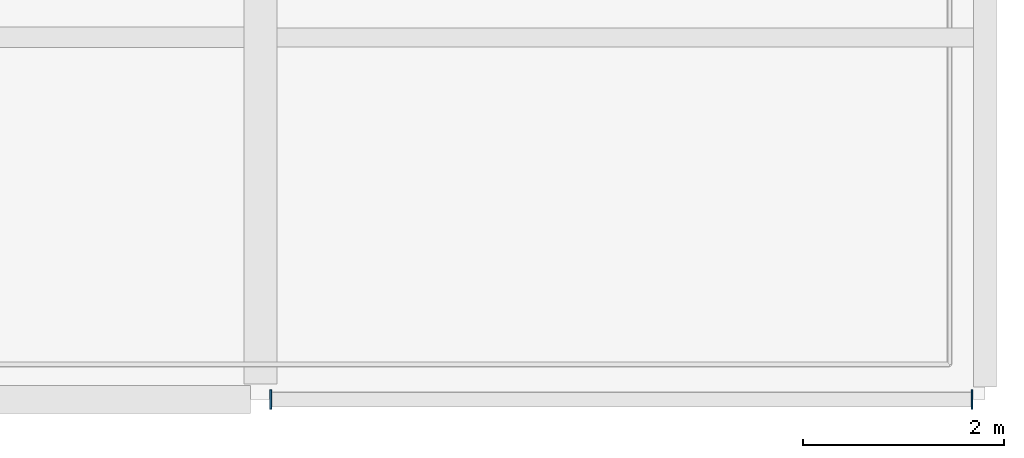
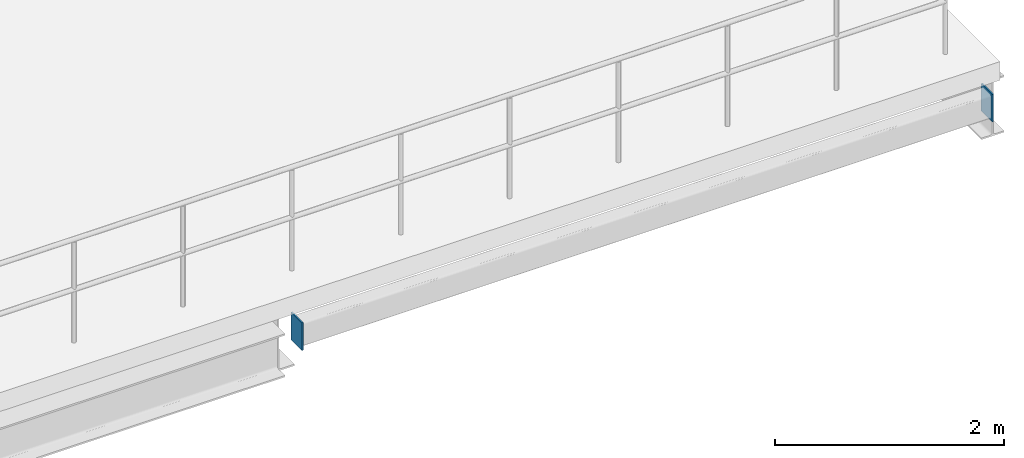
# One storey, part 28 of 45: 2 plates.
"""IFC4 building model written with IfcOpenShell, lengths in metres."""

import ifcopenshell
import ifcopenshell.guid

model = None  # the IFC model being written
_history = None  # IfcOwnerHistory: only IFC2X3 demands one
_inside = {}  # id of a spatial element -> (the spatial element, [elements in it])
_under = {}  # id of a project, library or spatial element -> (it, [spatial elements below it])
_declared = {}  # id of a project -> (the project, [libraries it declares])
_typed = {}  # id of a type object -> (the type object, [elements of that type])
_made_of = {}  # id of a material, layer set ... -> (it, [elements and type objects made of it])


def new_model(schema):
    """Start an empty IFC model of exactly this schema.

    Asked for "IFC4X3", IfcOpenShell would pick the latest addendum, in which some entities
    have other attributes; the version numbers below select the first issue.
    IFC2X3 requires an IfcOwnerHistory on every rooted entity: one is made here for all.
    """
    global model, _history
    if schema == "IFC4X3":
        model = ifcopenshell.file(schema_version=(4, 3, 0, 0))
    else:
        model = ifcopenshell.file(schema=schema)
    _inside.clear()
    _under.clear()
    _declared.clear()
    _typed.clear()
    _made_of.clear()
    _history = None
    if model.schema == "IFC2X3":
        org = make("IfcOrganization", Name="unknown")
        user = make(
            "IfcPersonAndOrganization",
            ThePerson=make("IfcPerson", FamilyName="unknown"),
            TheOrganization=org,
        )
        app = make(
            "IfcApplication",
            ApplicationDeveloper=org,
            Version="unknown",
            ApplicationFullName="unknown",
            ApplicationIdentifier="unknown",
        )
        _history = make(
            "IfcOwnerHistory",
            OwningUser=user,
            OwningApplication=app,
            ChangeAction="ADDED",
            CreationDate=0,
        )
    return model


def make(cls, **values):
    """One entity of the class cls with the attributes given. An attribute that is None is left unset."""
    return model.create_entity(
        cls, **{name: value for name, value in values.items() if value is not None}
    )


def rooted(cls, **values):
    """An entity with a GlobalId (a new one), such as an element, a storey or a relation."""
    return make(cls, GlobalId=ifcopenshell.guid.new(), OwnerHistory=_history, **values)


def si_unit(unit_type, name, prefix=None):
    """IfcSIUnit, for example si_unit("LENGTHUNIT", "METRE", prefix="MILLI")."""
    return make("IfcSIUnit", UnitType=unit_type, Prefix=prefix, Name=name)


def assignment(units):
    """IfcUnitAssignment: the units of a project."""
    return None if units is None else make("IfcUnitAssignment", Units=units)


def point(xyz):
    """IfcCartesianPoint."""
    return None if xyz is None else make("IfcCartesianPoint", Coordinates=xyz)


def direction(xyz):
    """IfcDirection."""
    return None if xyz is None else make("IfcDirection", DirectionRatios=xyz)


def frame(location, z_axis=None, x_axis=None):
    """IfcAxis2Placement3D, a coordinate frame: its origin and axes. An axis left out is left unset."""
    return make(
        "IfcAxis2Placement3D",
        Location=point(location),
        Axis=direction(z_axis),
        RefDirection=direction(x_axis),
    )


def frame_2d(location, x_axis=None):
    """IfcAxis2Placement2D, a coordinate frame in the plane: its origin and x axis."""
    return make(
        "IfcAxis2Placement2D", Location=point(location), RefDirection=direction(x_axis)
    )


def origin():
    """The frame at (0, 0, 0) with its axes left unset."""
    return frame((0.0, 0.0, 0.0))


def origin_2d():
    """The frame at (0, 0) in the plane with its x axis left unset."""
    return frame_2d((0.0, 0.0))


def place(relative_to, where):
    """IfcLocalPlacement: puts the frame where relative to a parent placement (None: the world)."""
    return make(
        "IfcLocalPlacement", PlacementRelTo=relative_to, RelativePlacement=where
    )


def context(
    kind, dimensions, precision=None, world=None, true_north=None, identifier=None
):
    """IfcGeometricRepresentationContext, for example the 3D "Model" context."""
    return make(
        "IfcGeometricRepresentationContext",
        ContextIdentifier=identifier,
        ContextType=kind,
        CoordinateSpaceDimension=dimensions,
        Precision=precision,
        WorldCoordinateSystem=world,
        TrueNorth=true_north,
    )


def subcontext(parent, identifier, kind, view, scale=None):
    """IfcGeometricRepresentationSubContext, for example "Body" below "Model"."""
    return make(
        "IfcGeometricRepresentationSubContext",
        ContextIdentifier=identifier,
        ContextType=kind,
        ParentContext=parent,
        TargetScale=scale,
        TargetView=view,
    )


def project(units=None, contexts=None):
    """IfcProject with its units and contexts."""
    return rooted(
        "IfcProject",
        Name="project",
        RepresentationContexts=contexts,
        UnitsInContext=assignment(units),
    )


def spatial(cls, under=None, at=None, **own):
    """A site, building, storey or space (cls), placed at a placement, below another one or the project."""
    s = rooted(cls, ObjectPlacement=at, **own)
    if under is not None:
        _under.setdefault(under.id(), (under, []))[1].append(s)
    return s


def profile(cls, at=None, kind="AREA", **sizes):
    """A parametric profile (cls). Its sizes go by their IFC names, for example OverallWidth=200.0."""
    return make(cls, ProfileType=kind, Position=at, **sizes)


def rectangle(**sizes):
    """IfcRectangleProfileDef."""
    return profile("IfcRectangleProfileDef", **sizes)


def extrude(swept, where, along, depth):
    """IfcExtrudedAreaSolid: the profile swept, set in the frame where, extruded along a direction by depth."""
    return make(
        "IfcExtrudedAreaSolid",
        SweptArea=swept,
        Position=where,
        ExtrudedDirection=direction(along),
        Depth=depth,
    )


def shape(context_of_items, identifier, shape_type, items):
    """IfcShapeRepresentation: the items that make up one representation, for example the "Body"."""
    return make(
        "IfcShapeRepresentation",
        ContextOfItems=context_of_items,
        RepresentationIdentifier=identifier,
        RepresentationType=shape_type,
        Items=items,
    )


def material(Name=None, Category=None):
    """IfcMaterial."""
    return make("IfcMaterial", Name=Name, Category=Category)


def layer(
    of_material, thickness, ventilated=None, Name=None, Category=None, Priority=None
):
    """IfcMaterialLayer: one layer of a wall or slab, of a material (None: an air gap)."""
    return make(
        "IfcMaterialLayer",
        Material=of_material,
        LayerThickness=thickness,
        IsVentilated=ventilated,
        Name=Name,
        Category=Category,
        Priority=Priority,
    )


def layer_set(layers, Name=None):
    """IfcMaterialLayerSet."""
    return make("IfcMaterialLayerSet", MaterialLayers=layers, LayerSetName=Name)


def made_of(thing, what):
    """Note that an element or type object is made of a material, layer set ...; save() writes the relation."""
    if what is not None:
        _made_of.setdefault(what.id(), (what, []))[1].append(thing)
    return thing


def type_object(cls, material=None, **own):
    """A type object (cls), such as IfcWallType, which elements share."""
    return made_of(rooted(cls, **own), material)


def element(
    cls,
    number,
    at=None,
    inside=None,
    cuts=None,
    type_object=None,
    material=None,
    context=None,
    identifier="Body",
    shape_type=None,
    held_by="IfcProductDefinitionShape",
    body=None,
    shapes=None,
    **own,
):
    """One element of the class cls, such as IfcWall. Its Tag is "e" and its number.

    at: its placement. inside: the storey or other place that contains it. cuts: it is an
    opening in that element (IfcRelVoidsElement). A single representation is given by context,
    identifier, shape_type and body (its items); several are given by shapes. held_by: the class
    of the entity that holds the representations. save() writes the other relations.
    """
    e = rooted(cls, Tag="e%d" % number, ObjectPlacement=at, **own)
    if body is not None:
        shapes = [shape(context, identifier, shape_type, body)]
    if shapes is not None:
        e.Representation = make(held_by, Representations=shapes)
    if inside is not None:
        _inside.setdefault(inside.id(), (inside, []))[1].append(e)
    if cuts is not None:
        rooted(
            "IfcRelVoidsElement", RelatingBuildingElement=cuts, RelatedOpeningElement=e
        )
    if type_object is not None:
        _typed.setdefault(type_object.id(), (type_object, []))[1].append(e)
    return made_of(e, material)


def aggregate(whole, parts):
    """IfcRelAggregates: a whole, such as a stair, and the parts it consists of."""
    return rooted("IfcRelAggregates", RelatingObject=whole, RelatedObjects=parts)


def save(model, path):
    """Write the relations noted so far, then the file.

    IfcRelAggregates (storeys below a building ...), IfcRelContainedInSpatialStructure (elements
    in a storey), IfcRelDefinesByType, IfcRelAssociatesMaterial and IfcRelDeclares: one each for
    every whole, place, type object, material and project.
    """
    for whole, parts in _under.values():
        aggregate(whole, parts)
    for where, things in _inside.values():
        rooted(
            "IfcRelContainedInSpatialStructure",
            RelatedElements=things,
            RelatingStructure=where,
        )
    for kind, things in _typed.values():
        rooted("IfcRelDefinesByType", RelatedObjects=things, RelatingType=kind)
    for what, things in _made_of.values():
        rooted("IfcRelAssociatesMaterial", RelatedObjects=things, RelatingMaterial=what)
    for by, libraries in _declared.values():
        rooted("IfcRelDeclares", RelatingContext=by, RelatedDefinitions=libraries)
    model.write(path)


model = new_model("IFC4")

# Units and contexts
model_context = context("Model", 3, precision=1e-05, world=origin(), true_north=direction((0.0, 1.0)))
body_context = subcontext(model_context, "Body", "Model", "MODEL_VIEW")
ifc_project = project(units=[si_unit("LENGTHUNIT", "METRE"), si_unit("AREAUNIT", "SQUARE_METRE"), si_unit("VOLUMEUNIT", "CUBIC_METRE"), si_unit("PLANEANGLEUNIT", "RADIAN"), si_unit("MASSUNIT", "GRAM", prefix="KILO")], contexts=[model_context])

# Site, building, storey
site_placement = place(None, origin())
site = spatial("IfcSite", under=ifc_project, at=site_placement, CompositionType="ELEMENT")
building_placement = place(site_placement, origin())
building = spatial("IfcBuilding", under=site, at=building_placement, Name="Calvrana Isthmian Art Gallery", CompositionType="ELEMENT")
storey_placement = place(building_placement, frame((0.0, 0.0, 19.800048828125)))
storey = spatial("IfcBuildingStorey", under=building, at=storey_placement, Name="L04", CompositionType="ELEMENT", Elevation=19.800048828125)

# Plates
ifc_material = material(Name="Steel ASTM A572 Gr 50", Category="steel")
ifc_layer = layer(ifc_material, 0.01611328125, Name="Steel ASTM A572 Gr 50")
ifc_layer_set = layer_set([ifc_layer], Name="Steel ASTM A572 Gr 50")
plate_type = type_object("IfcPlateType", Name="PL-CAP-16", PredefinedType="SHEET", material=ifc_layer_set)
for number, where, z_axis, x_axis, name in (
    (1, (134.501708984375, 14.39990234375, -0.5390625), (0.0, 0.0, 1.0), (1.0, 0.0, 0.0), "Hollow section end cap plate 485"),
    (2, (141.472900390625, 14.39990234375, -0.5390625), (0.0, 0.0, 1.0), (1.0, 0.0, 0.0), "Hollow section end cap plate 486"),
):
    element("IfcPlate", number, at=place(storey_placement, frame(where, z_axis=z_axis, x_axis=x_axis)), inside=storey, type_object=plate_type, Name=name, PredefinedType="SHEET", context=body_context, shape_type="SweptSolid", body=[
        extrude(rectangle(XDim=0.01611328125, YDim=0.1923828125, at=origin_2d()), origin(), (0.0, 0.0, 1.0), 0.2939453125),
    ])

save(model, "model.ifc")
